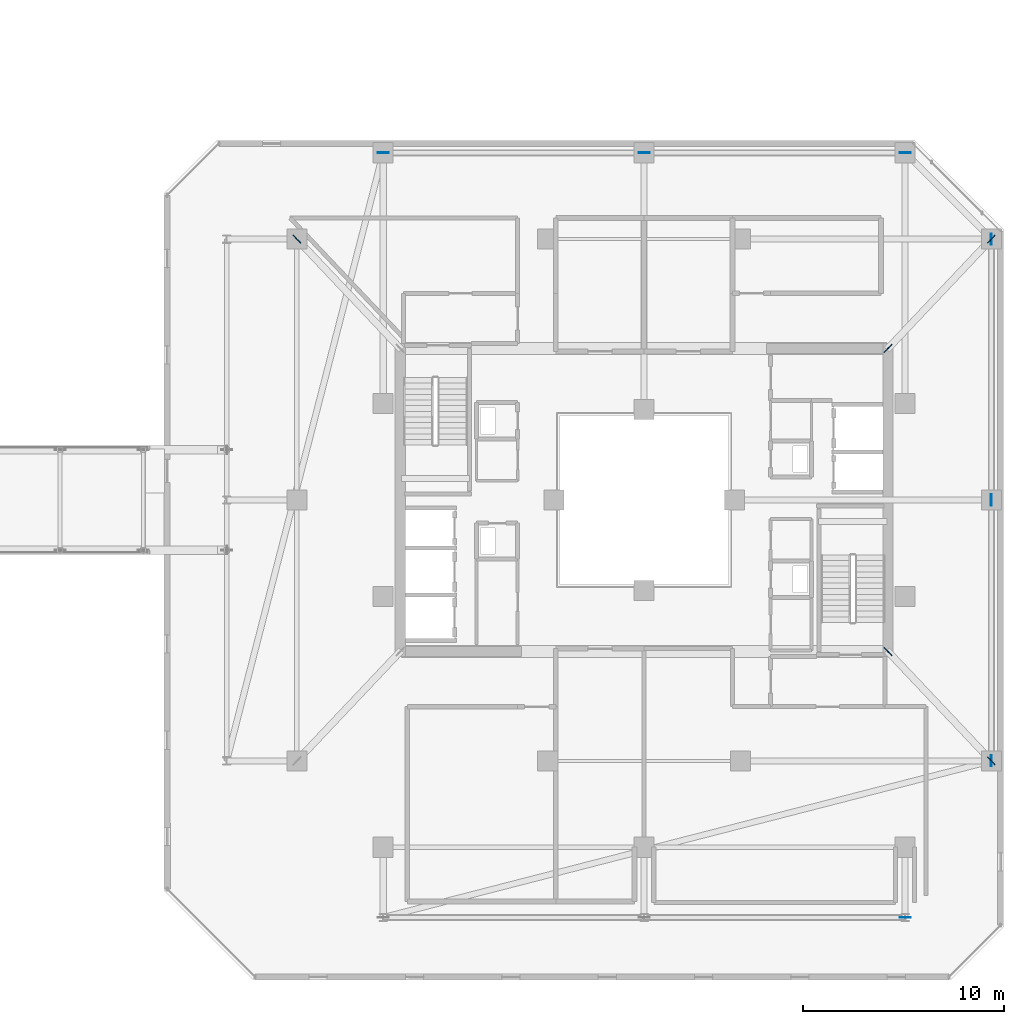
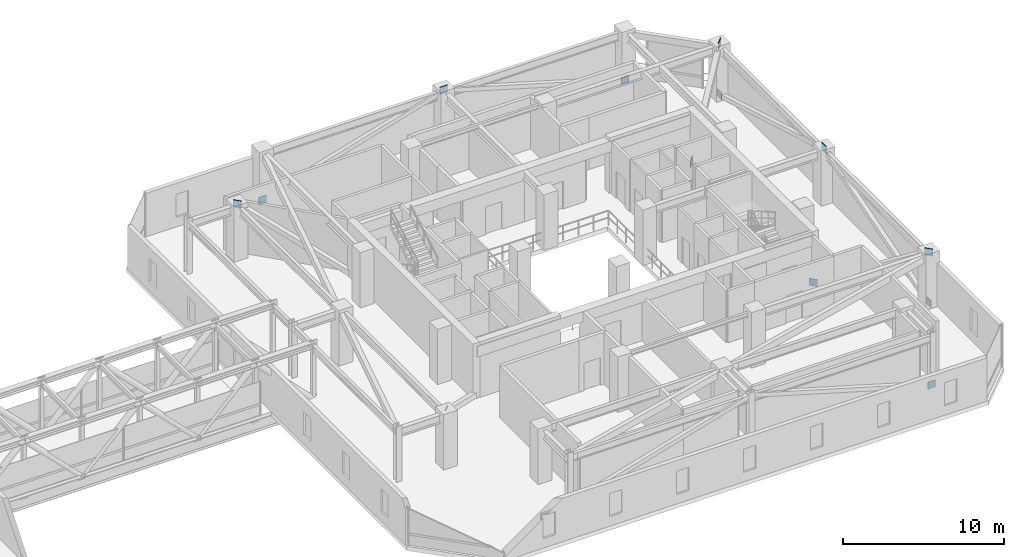
# One storey, part 32 of 42: 12 plates.
"""IFC4 building model written with IfcOpenShell, lengths in metres."""

from ifc_helpers import new_model, si_unit, direction, frame, origin, origin_2d, place, context, subcontext, project, spatial, rectangle, extrude, material, layer, layer_set, type_object, element, save


model = new_model("IFC4")

# Units and contexts
model_context = context("Model", 3, precision=1e-05, world=origin(), true_north=direction((0.0, 1.0)))
body_context = subcontext(model_context, "Body", "Model", "MODEL_VIEW")
ifc_project = project(units=[si_unit("LENGTHUNIT", "METRE"), si_unit("AREAUNIT", "SQUARE_METRE"), si_unit("VOLUMEUNIT", "CUBIC_METRE"), si_unit("PLANEANGLEUNIT", "RADIAN"), si_unit("MASSUNIT", "GRAM", prefix="KILO")], contexts=[model_context])

# Site, building, storey
site_placement = place(None, origin())
site = spatial("IfcSite", under=ifc_project, at=site_placement, CompositionType="ELEMENT")
building_placement = place(site_placement, origin())
building = spatial("IfcBuilding", under=site, at=building_placement, Name="Thornwick Lancets Civic Towers", CompositionType="ELEMENT")
storey_placement = place(building_placement, frame((0.0, 0.0, 221.699951171875)))
storey = spatial("IfcBuildingStorey", under=building, at=storey_placement, Name="L59", CompositionType="ELEMENT", Elevation=221.699951171875)

# Plates
ifc_material = material(Name="Steel S460M", Category="steel")
ifc_layer = layer(ifc_material, 0.0400390625, Name="Steel S460M")
ifc_layer_set = layer_set([ifc_layer], Name="Steel S460M")
plate_type = type_object("IfcPlateType", Name="PLT_GUSSET_40", PredefinedType="USERDEFINED", material=ifc_layer_set)
for number, where, z_axis, x_axis, name in (
    (1, (105.800048828125, 14.0, -0.125), (0.0, 0.0, 1.0), (0.0, 1.0, 0.0), "L59 Brace Connection Gusset Plate 0356"),
    (2, (105.800048828125, 27.0, 3.68505859375), (0.0, 0.0, 1.0), (0.0, 1.0, 0.0), "L59 Brace Connection Gusset Plate 0357"),
    (3, (105.800048828125, 40.0, -0.125), (0.0, 0.0, 1.0), (0.0, -1.0, 0.0), "L59 Brace Connection Gusset Plate 0358"),
    (4, (101.5, 44.300048828125, -0.125), (0.0, 0.0, 1.0), (-1.0, 0.0, 0.0), "L59 Brace Connection Gusset Plate 0359"),
    (5, (88.5, 44.300048828125, 3.68505859375), (0.0, 0.0, 1.0), (-1.0, 0.0, 0.0), "L59 Brace Connection Gusset Plate 0360"),
    (6, (75.5, 44.300048828125, -0.125), (0.0, 0.0, 1.0), (1.0, 0.0, 0.0), "L59 Brace Connection Gusset Plate 0361"),
    (7, (101.5, 6.199951171875, -0.125), (0.0, 0.0, 1.0), (-1.0, 0.0, 0.0), "L59 Brace Connection Gusset Plate 0362"),
    (8, (100.64990234375, 19.449951171875, -0.125), (0.0, 0.0, 1.0), (0.686833846544, -0.726814465487, 0.0), "L59 Brace Connection Gusset Plate 0365"),
    (9, (105.800048828125, 14.0, 3.68505859375), (0.0, 0.0, 1.0), (0.686833846544, -0.726814465487, 0.0), "L59 Brace Connection Gusset Plate 0366"),
    (10, (100.64990234375, 34.550048828125, -0.125), (0.0, 0.0, 1.0), (0.686833846544, 0.726814465487, 0.0), "L59 Brace Connection Gusset Plate 0367"),
    (11, (105.800048828125, 40.0, 3.68505859375), (0.0, 0.0, 1.0), (0.686833846544, 0.726814465487, 0.0), "L59 Brace Connection Gusset Plate 0368"),
    (12, (71.199951171875, 40.0, 3.68505859375), (0.0, 0.0, 1.0), (-0.686833846544, 0.726814465487, 0.0), "L59 Brace Connection Gusset Plate 0372"),
):
    element("IfcPlate", number, at=place(storey_placement, frame(where, z_axis=z_axis, x_axis=x_axis)), inside=storey, type_object=plate_type, Name=name, ObjectType="GUSSET_PLATE", PredefinedType="USERDEFINED", context=body_context, shape_type="SweptSolid", body=[
        extrude(rectangle(XDim=0.550048828125, YDim=0.0400390625, at=origin_2d()), origin(), (0.0, 0.0, 1.0), 0.550048828125),
    ])

save(model, "model.ifc")
